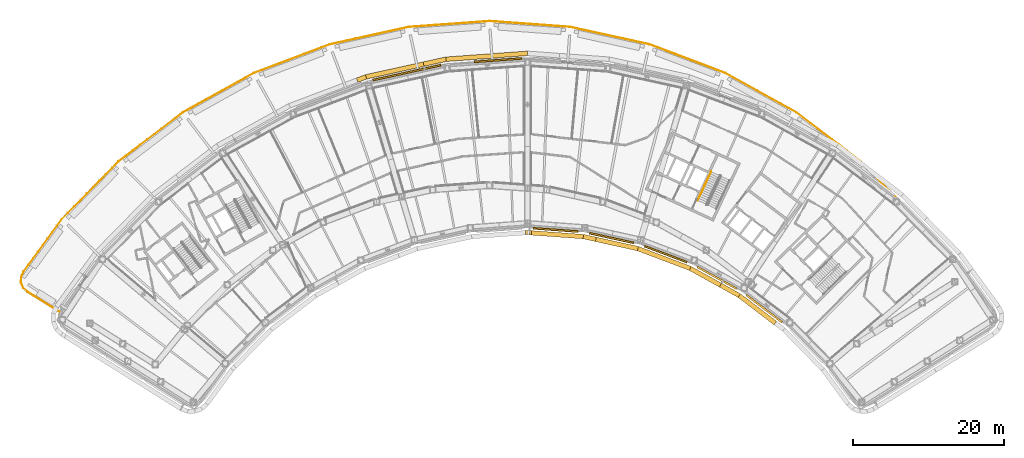
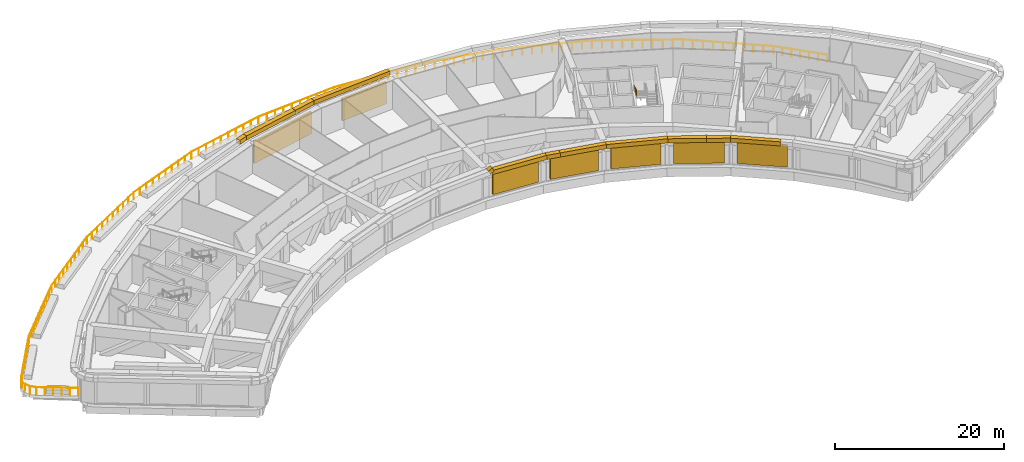
# One storey, part 21 of 24: 12 coverings, 7 shading devices, 2 railings.
"""IFC4 building model written with IfcOpenShell, lengths in metres."""

from ifc_helpers import new_model, si_unit, direction, frame, origin, origin_2d, place, context, subcontext, project, spatial, rectangle, circle, extrude, material, material_profile, profile_set, type_object, element, save


model = new_model("IFC4")

# Units and contexts
model_context = context("Model", 3, precision=1e-05, world=origin(), true_north=direction((0.0, 1.0)))
body_context = subcontext(model_context, "Body", "Model", "MODEL_VIEW")
ifc_project = project(units=[si_unit("LENGTHUNIT", "METRE"), si_unit("AREAUNIT", "SQUARE_METRE"), si_unit("VOLUMEUNIT", "CUBIC_METRE"), si_unit("PLANEANGLEUNIT", "RADIAN"), si_unit("MASSUNIT", "GRAM", prefix="KILO")], contexts=[model_context])

# Site, building, storey
site_placement = place(None, origin())
site = spatial("IfcSite", under=ifc_project, at=site_placement, CompositionType="ELEMENT")
building_placement = place(site_placement, origin())
building = spatial("IfcBuilding", under=site, at=building_placement, Name="Tuul Gate Civic Tower", CompositionType="ELEMENT")
storey_placement = place(building_placement, frame((0.0, 0.0, 94.800048828125)))
storey = spatial("IfcBuildingStorey", under=building, at=storey_placement, Name="Plant and refuge floor 3", CompositionType="ELEMENT", Elevation=94.800048828125)

# Shading devices
ifc_material_1 = material(Name="Aluminium louvre", Category="aluminium")
shading_device_type = type_object("IfcShadingDeviceType", Name="Louvre panel", PredefinedType="USERDEFINED", material=ifc_material_1)
shading_device_1_placement = place(storey_placement, frame((5.926513671875, 13.980224609375, 0.300048828125), z_axis=(0.0, 0.0, 1.0), x_axis=(-0.072325255649, 0.997381099377, 0.0)))
element("IfcShadingDevice", 1, at=shading_device_1_placement, inside=storey, type_object=shading_device_type, Name="Louvre panel", ObjectType="LOUVRE", PredefinedType="USERDEFINED", context=body_context, shape_type="SweptSolid", body=[
    extrude(rectangle(XDim=0.25, YDim=6.300048828125, at=origin_2d()), origin(), (0.0, 0.0, 1.0), 3.14990234375),
])
shading_device_2_placement = place(storey_placement, frame((-6.157958984375, 12.3271484375, 0.300048828125), z_axis=(0.0, 0.0, 1.0), x_axis=(-0.21523471371, 0.976562347223, 0.0)))
element("IfcShadingDevice", 2, at=shading_device_2_placement, inside=storey, type_object=shading_device_type, Name="Louvre panel", ObjectType="LOUVRE", PredefinedType="USERDEFINED", context=body_context, shape_type="SweptSolid", body=[
    extrude(rectangle(XDim=0.25, YDim=9.199951171875, at=origin_2d()), origin(), (0.0, 0.0, 1.0), 3.14990234375),
])
for number, where, z_axis, x_axis, name in (
    (3, (13.573486328125, -8.51708984375, 0.300048828125), (0.0, 0.0, 1.0), (-0.072144007561, -0.997394226058, 0.0), "Louvre panel"),
    (4, (20.984130859375, -9.59619140625, 0.300048828125), (0.0, 0.0, 1.0), (-0.215241961183, -0.976560749849, 0.0), "Louvre panel"),
    (5, (28.161865234375, -11.73193359375, 0.300048828125), (0.0, 0.0, 1.0), (-0.353684769481, -0.935364679597, 0.0), "Louvre panel"),
    (6, (34.956787109375, -14.8798828125, 0.300048828125), (0.0, 0.0, 1.0), (-0.48480794476, -0.874620635875, 0.0), "Louvre panel"),
    (7, (41.227294921875, -18.974365234375, 0.300048828125), (0.0, 0.0, 1.0), (-0.605851052715, -0.795578092914, 0.0), "Louvre panel"),
):
    element("IfcShadingDevice", number, at=place(storey_placement, frame(where, z_axis=z_axis, x_axis=x_axis)), inside=storey, type_object=shading_device_type, Name=name, ObjectType="LOUVRE", PredefinedType="USERDEFINED", context=body_context, shape_type="SweptSolid", body=[
        extrude(rectangle(XDim=0.25, YDim=6.0, at=origin_2d()), origin(), (0.0, 0.0, 1.0), 3.14990234375),
    ])

# Railings
ifc_material_2 = material(Name="Painted steel", Category="steel")
railing_type_1 = type_object("IfcRailingType", Name="Stair handrail", PredefinedType="HANDRAIL", material=ifc_material_2)
railing_1_placement = place(storey_placement, frame((34.1728515625, -0.795166015625, 2.39990234375)))
element("IfcRailing", 8, at=railing_1_placement, inside=storey, type_object=railing_type_1, Name="Plant and refuge floor 3 ST-4 stair handrail 2", PredefinedType="HANDRAIL", context=body_context, shape_type="SweptSolid", body=[
    extrude(circle(Radius=0.02392578125, at=origin_2d()), frame((0.0, 0.0, 0.8759765625), z_axis=(-0.377986804777, -0.810617919294, 0.447241058416), x_axis=(0.906312300116, -0.422608583275, 0.0)), (0.0, 0.0, 1.0), 4.695556640625),
    extrude(circle(Radius=0.02099609375, at=origin_2d()), origin(), (0.0, 0.0, 1.0), 0.851806640625),
    extrude(circle(Radius=0.02099609375, at=origin_2d()), frame((-0.44384765625, -0.95166015625, 0.52490234375)), (0.0, 0.0, 1.0), 0.851806640625),
    extrude(circle(Radius=0.02099609375, at=origin_2d()), frame((-0.887451171875, -1.9033203125, 1.050048828125)), (0.0, 0.0, 1.0), 0.851806640625),
    extrude(circle(Radius=0.02099609375, at=origin_2d()), frame((-1.3310546875, -2.854736328125, 1.5751953125)), (0.0, 0.0, 1.0), 0.851806640625),
    extrude(circle(Radius=0.02099609375, at=origin_2d()), frame((-1.77490234375, -3.806396484375, 2.10009765625)), (0.0, 0.0, 1.0), 0.851806640625),
])
ifc_material_3 = material(Name="Stainless steel", Category="steel")
railing_type_2 = type_object("IfcRailingType", Name="Terrace guard", PredefinedType="GUARDRAIL", material=ifc_material_3)
railing_2_placement = place(storey_placement, frame((58.625732421875, -4.16015625, 0.0)))
element("IfcRailing", 9, at=railing_2_placement, inside=storey, type_object=railing_type_2, Name="Guard", PredefinedType="GUARDRAIL", context=body_context, shape_type="SweptSolid", body=[
    extrude(circle(Radius=0.02392578125, at=origin_2d()), frame((0.0, 0.0, 1.076171875), z_axis=(-0.700026670463, 0.714116699595, 0.0), x_axis=(-0.714116699595, -0.700026670463, 0.0)), (0.0, 0.0, 1.0), 6.6015625),
    extrude(circle(Radius=0.02392578125, at=origin_2d()), frame((-4.621337890625, 4.71435546875, 1.076171875), z_axis=(-0.795606982019, 0.605813114882, 0.0), x_axis=(-0.605813114882, -0.795606982019, 0.0)), (0.0, 0.0, 1.0), 10.7421875),
    extrude(circle(Radius=0.02392578125, at=origin_2d()), frame((-13.16796875, 11.22216796875, 1.076171875), z_axis=(-0.874611402149, 0.484824602543, 0.0), x_axis=(-0.484824602543, -0.874611402149, 0.0)), (0.0, 0.0, 1.0), 10.7431640625),
    extrude(circle(Radius=0.02392578125, at=origin_2d()), frame((-22.56396484375, 16.4306640625, 1.076171875), z_axis=(-0.935374053612, 0.353659977704, 0.0), x_axis=(-0.353659977704, -0.935374053612, 0.0)), (0.0, 0.0, 1.0), 10.742919921875),
    extrude(circle(Radius=0.02392578125, at=origin_2d()), frame((-32.612548828125, 20.22998046875, 1.076171875), z_axis=(-0.976561510253, 0.215238511173, 0.0), x_axis=(-0.215238511173, -0.976561510253, 0.0)), (0.0, 0.0, 1.0), 10.74267578125),
    extrude(circle(Radius=0.02392578125, at=origin_2d()), frame((-43.103515625, 22.542236328125, 1.076171875), z_axis=(-0.997389827202, 0.072204796195, 0.0), x_axis=(-0.072204796195, -0.997389827202, 0.0)), (0.0, 0.0, 1.0), 10.7421875),
    extrude(circle(Radius=0.02392578125, at=origin_2d()), frame((-53.817626953125, 23.31787109375, 1.076171875), z_axis=(-0.997389945688, -0.072203159492, 0.0), x_axis=(0.072203159492, -0.997389945688, 0.0)), (0.0, 0.0, 1.0), 10.742431640625),
    extrude(circle(Radius=0.02392578125, at=origin_2d()), frame((-64.531982421875, 22.542236328125, 1.076171875), z_axis=(-0.976561510253, -0.215238511173, 0.0), x_axis=(0.215238511173, -0.976561510253, 0.0)), (0.0, 0.0, 1.0), 10.74267578125),
    extrude(circle(Radius=0.02392578125, at=origin_2d()), frame((-75.02294921875, 20.22998046875, 1.076171875), z_axis=(-0.935362682375, -0.353690051345, 0.0), x_axis=(0.353690051345, -0.935362682375, 0.0)), (0.0, 0.0, 1.0), 10.741943359375),
    extrude(circle(Radius=0.02392578125, at=origin_2d()), frame((-85.070556640625, 16.4306640625, 1.076171875), z_axis=(-0.874611402149, -0.484824602543, 0.0), x_axis=(0.484824602543, -0.874611402149, 0.0)), (0.0, 0.0, 1.0), 10.7431640625),
    extrude(circle(Radius=0.02392578125, at=origin_2d()), frame((-94.466552734375, 11.22216796875, 1.076171875), z_axis=(-0.795606982019, -0.605813114882, 0.0), x_axis=(0.605813114882, -0.795606982019, 0.0)), (0.0, 0.0, 1.0), 10.7421875),
    extrude(circle(Radius=0.02392578125, at=origin_2d()), frame((-103.01318359375, 4.71435546875, 1.076171875), z_axis=(-0.700061186353, -0.714082863093, 0.0), x_axis=(0.714082863093, -0.700061186353, 0.0)), (0.0, 0.0, 1.0), 10.742919921875),
    extrude(circle(Radius=0.02392578125, at=origin_2d()), frame((-110.533935546875, -2.95703125, 1.076171875), z_axis=(-0.58976635992, -0.80757392275, 0.0), x_axis=(0.80757392275, -0.58976635992, 0.0)), (0.0, 0.0, 1.0), 8.587158203125),
    extrude(circle(Radius=0.02392578125, at=origin_2d()), frame((-115.598388671875, -9.891845703125, 1.076171875), z_axis=(-0.413252856297, -0.910616316987, 0.0), x_axis=(0.910616316987, -0.413252856297, 0.0)), (0.0, 0.0, 1.0), 0.769287109375),
    extrude(circle(Radius=0.02392578125, at=origin_2d()), frame((-115.916259765625, -10.59228515625, 1.076171875), z_axis=(-0.014580433083, -0.999893699836, 0.0), x_axis=(0.999893699836, -0.014580433083, 0.0)), (0.0, 0.0, 1.0), 0.75341796875),
    extrude(circle(Radius=0.02392578125, at=origin_2d()), frame((-115.92724609375, -11.345703125, 1.076171875), z_axis=(0.385811143559, -0.922577780735, 0.0), x_axis=(0.922577780735, 0.385811143559, 0.0)), (0.0, 0.0, 1.0), 0.753662109375),
    extrude(circle(Radius=0.02392578125, at=origin_2d()), frame((-115.636474609375, -12.041015625, 1.076171875), z_axis=(0.722338380807, -0.691539777318, 0.0), x_axis=(0.691539777318, 0.722338380807, 0.0)), (0.0, 0.0, 1.0), 0.768798828125),
    extrude(circle(Radius=0.02392578125, at=origin_2d()), frame((-115.0810546875, -12.57275390625, 1.076171875), z_axis=(0.848050615806, -0.52991523193, 0.0), x_axis=(0.52991523193, 0.848050615806, 0.0)), (0.0, 0.0, 1.0), 4.981201171875),
    extrude(circle(Radius=0.02099609375, at=origin_2d()), origin(), (0.0, 0.0, 1.0), 1.052001953125),
    extrude(circle(Radius=0.02099609375, at=origin_2d()), frame((-0.770263671875, 0.78564453125, 0.0)), (0.0, 0.0, 1.0), 1.052001953125),
    extrude(circle(Radius=0.02099609375, at=origin_2d()), frame((-1.54052734375, 1.571533203125, 0.0)), (0.0, 0.0, 1.0), 1.052001953125),
    extrude(circle(Radius=0.02099609375, at=origin_2d()), frame((-2.310546875, 2.357177734375, 0.0)), (0.0, 0.0, 1.0), 1.052001953125),
    extrude(circle(Radius=0.02099609375, at=origin_2d()), frame((-3.080810546875, 3.142822265625, 0.0)), (0.0, 0.0, 1.0), 1.052001953125),
    extrude(circle(Radius=0.02099609375, at=origin_2d()), frame((-3.85107421875, 3.9287109375, 0.0)), (0.0, 0.0, 1.0), 1.052001953125),
    extrude(circle(Radius=0.02099609375, at=origin_2d()), frame((-4.621337890625, 4.71435546875, 0.0)), (0.0, 0.0, 1.0), 1.052001953125),
    extrude(circle(Radius=0.02099609375, at=origin_2d()), frame((-5.571044921875, 5.4375, 0.0)), (0.0, 0.0, 1.0), 1.052001953125),
    extrude(circle(Radius=0.02099609375, at=origin_2d()), frame((-6.5205078125, 6.16064453125, 0.0)), (0.0, 0.0, 1.0), 1.052001953125),
    extrude(circle(Radius=0.02099609375, at=origin_2d()), frame((-7.47021484375, 6.883544921875, 0.0)), (0.0, 0.0, 1.0), 1.052001953125),
    extrude(circle(Radius=0.02099609375, at=origin_2d()), frame((-8.419921875, 7.606689453125, 0.0)), (0.0, 0.0, 1.0), 1.052001953125),
    extrude(circle(Radius=0.02099609375, at=origin_2d()), frame((-9.369384765625, 8.329833984375, 0.0)), (0.0, 0.0, 1.0), 1.052001953125),
    extrude(circle(Radius=0.02099609375, at=origin_2d()), frame((-10.319091796875, 9.052978515625, 0.0)), (0.0, 0.0, 1.0), 1.052001953125),
    extrude(circle(Radius=0.02099609375, at=origin_2d()), frame((-11.268798828125, 9.77587890625, 0.0)), (0.0, 0.0, 1.0), 1.052001953125),
    extrude(circle(Radius=0.02099609375, at=origin_2d()), frame((-12.21826171875, 10.4990234375, 0.0)), (0.0, 0.0, 1.0), 1.052001953125),
    extrude(circle(Radius=0.02099609375, at=origin_2d()), frame((-13.16796875, 11.22216796875, 0.0)), (0.0, 0.0, 1.0), 1.052001953125),
    extrude(circle(Radius=0.02099609375, at=origin_2d()), frame((-14.2119140625, 11.80078125, 0.0)), (0.0, 0.0, 1.0), 1.052001953125),
    extrude(circle(Radius=0.02099609375, at=origin_2d()), frame((-15.255859375, 12.379638671875, 0.0)), (0.0, 0.0, 1.0), 1.052001953125),
    extrude(circle(Radius=0.02099609375, at=origin_2d()), frame((-16.300048828125, 12.958251953125, 0.0)), (0.0, 0.0, 1.0), 1.052001953125),
    extrude(circle(Radius=0.02099609375, at=origin_2d()), frame((-17.343994140625, 13.537109375, 0.0)), (0.0, 0.0, 1.0), 1.052001953125),
    extrude(circle(Radius=0.02099609375, at=origin_2d()), frame((-18.387939453125, 14.11572265625, 0.0)), (0.0, 0.0, 1.0), 1.052001953125),
    extrude(circle(Radius=0.02099609375, at=origin_2d()), frame((-19.431884765625, 14.694580078125, 0.0)), (0.0, 0.0, 1.0), 1.052001953125),
    extrude(circle(Radius=0.02099609375, at=origin_2d()), frame((-20.47607421875, 15.273193359375, 0.0)), (0.0, 0.0, 1.0), 1.052001953125),
    extrude(circle(Radius=0.02099609375, at=origin_2d()), frame((-21.52001953125, 15.85205078125, 0.0)), (0.0, 0.0, 1.0), 1.052001953125),
    extrude(circle(Radius=0.02099609375, at=origin_2d()), frame((-22.56396484375, 16.4306640625, 0.0)), (0.0, 0.0, 1.0), 1.052001953125),
    extrude(circle(Radius=0.02099609375, at=origin_2d()), frame((-23.680419921875, 16.852783203125, 0.0)), (0.0, 0.0, 1.0), 1.052001953125),
    extrude(circle(Radius=0.02099609375, at=origin_2d()), frame((-24.796875, 17.27490234375, 0.0)), (0.0, 0.0, 1.0), 1.052001953125),
    extrude(circle(Radius=0.02099609375, at=origin_2d()), frame((-25.91357421875, 17.697021484375, 0.0)), (0.0, 0.0, 1.0), 1.052001953125),
    extrude(circle(Radius=0.02099609375, at=origin_2d()), frame((-27.030029296875, 18.119140625, 0.0)), (0.0, 0.0, 1.0), 1.052001953125),
    extrude(circle(Radius=0.02099609375, at=origin_2d()), frame((-28.146484375, 18.54150390625, 0.0)), (0.0, 0.0, 1.0), 1.052001953125),
    extrude(circle(Radius=0.02099609375, at=origin_2d()), frame((-29.262939453125, 18.963623046875, 0.0)), (0.0, 0.0, 1.0), 1.052001953125),
    extrude(circle(Radius=0.02099609375, at=origin_2d()), frame((-30.379638671875, 19.3857421875, 0.0)), (0.0, 0.0, 1.0), 1.052001953125),
    extrude(circle(Radius=0.02099609375, at=origin_2d()), frame((-31.49609375, 19.807861328125, 0.0)), (0.0, 0.0, 1.0), 1.052001953125),
    extrude(circle(Radius=0.02099609375, at=origin_2d()), frame((-32.612548828125, 20.22998046875, 0.0)), (0.0, 0.0, 1.0), 1.052001953125),
    extrude(circle(Radius=0.02099609375, at=origin_2d()), frame((-33.7783203125, 20.48681640625, 0.0)), (0.0, 0.0, 1.0), 1.052001953125),
    extrude(circle(Radius=0.02099609375, at=origin_2d()), frame((-34.94384765625, 20.743896484375, 0.0)), (0.0, 0.0, 1.0), 1.052001953125),
    extrude(circle(Radius=0.02099609375, at=origin_2d()), frame((-36.109619140625, 21.000732421875, 0.0)), (0.0, 0.0, 1.0), 1.052001953125),
    extrude(circle(Radius=0.02099609375, at=origin_2d()), frame((-37.275146484375, 21.257568359375, 0.0)), (0.0, 0.0, 1.0), 1.052001953125),
    extrude(circle(Radius=0.02099609375, at=origin_2d()), frame((-38.44091796875, 21.5146484375, 0.0)), (0.0, 0.0, 1.0), 1.052001953125),
    extrude(circle(Radius=0.02099609375, at=origin_2d()), frame((-39.6064453125, 21.771484375, 0.0)), (0.0, 0.0, 1.0), 1.052001953125),
    extrude(circle(Radius=0.02099609375, at=origin_2d()), frame((-40.772216796875, 22.0283203125, 0.0)), (0.0, 0.0, 1.0), 1.052001953125),
    extrude(circle(Radius=0.02099609375, at=origin_2d()), frame((-41.937744140625, 22.285400390625, 0.0)), (0.0, 0.0, 1.0), 1.052001953125),
    extrude(circle(Radius=0.02099609375, at=origin_2d()), frame((-43.103515625, 22.542236328125, 0.0)), (0.0, 0.0, 1.0), 1.052001953125),
    extrude(circle(Radius=0.02099609375, at=origin_2d()), frame((-44.2939453125, 22.62841796875, 0.0)), (0.0, 0.0, 1.0), 1.052001953125),
    extrude(circle(Radius=0.02099609375, at=origin_2d()), frame((-45.484375, 22.714599609375, 0.0)), (0.0, 0.0, 1.0), 1.052001953125),
    extrude(circle(Radius=0.02099609375, at=origin_2d()), frame((-46.6748046875, 22.80078125, 0.0)), (0.0, 0.0, 1.0), 1.052001953125),
    extrude(circle(Radius=0.02099609375, at=origin_2d()), frame((-47.865234375, 22.886962890625, 0.0)), (0.0, 0.0, 1.0), 1.052001953125),
    extrude(circle(Radius=0.02099609375, at=origin_2d()), frame((-49.055908203125, 22.97314453125, 0.0)), (0.0, 0.0, 1.0), 1.052001953125),
    extrude(circle(Radius=0.02099609375, at=origin_2d()), frame((-50.246337890625, 23.059326171875, 0.0)), (0.0, 0.0, 1.0), 1.052001953125),
    extrude(circle(Radius=0.02099609375, at=origin_2d()), frame((-51.436767578125, 23.1455078125, 0.0)), (0.0, 0.0, 1.0), 1.052001953125),
    extrude(circle(Radius=0.02099609375, at=origin_2d()), frame((-52.627197265625, 23.231689453125, 0.0)), (0.0, 0.0, 1.0), 1.052001953125),
    extrude(circle(Radius=0.02099609375, at=origin_2d()), frame((-53.817626953125, 23.31787109375, 0.0)), (0.0, 0.0, 1.0), 1.052001953125),
    extrude(circle(Radius=0.02099609375, at=origin_2d()), frame((-55.008056640625, 23.231689453125, 0.0)), (0.0, 0.0, 1.0), 1.052001953125),
    extrude(circle(Radius=0.02099609375, at=origin_2d()), frame((-56.198486328125, 23.1455078125, 0.0)), (0.0, 0.0, 1.0), 1.052001953125),
    extrude(circle(Radius=0.02099609375, at=origin_2d()), frame((-57.38916015625, 23.059326171875, 0.0)), (0.0, 0.0, 1.0), 1.052001953125),
    extrude(circle(Radius=0.02099609375, at=origin_2d()), frame((-58.57958984375, 22.97314453125, 0.0)), (0.0, 0.0, 1.0), 1.052001953125),
    extrude(circle(Radius=0.02099609375, at=origin_2d()), frame((-59.77001953125, 22.886962890625, 0.0)), (0.0, 0.0, 1.0), 1.052001953125),
    extrude(circle(Radius=0.02099609375, at=origin_2d()), frame((-60.96044921875, 22.80078125, 0.0)), (0.0, 0.0, 1.0), 1.052001953125),
    extrude(circle(Radius=0.02099609375, at=origin_2d()), frame((-62.151123046875, 22.714599609375, 0.0)), (0.0, 0.0, 1.0), 1.052001953125),
    extrude(circle(Radius=0.02099609375, at=origin_2d()), frame((-63.341552734375, 22.62841796875, 0.0)), (0.0, 0.0, 1.0), 1.052001953125),
    extrude(circle(Radius=0.02099609375, at=origin_2d()), frame((-64.531982421875, 22.542236328125, 0.0)), (0.0, 0.0, 1.0), 1.052001953125),
    extrude(circle(Radius=0.02099609375, at=origin_2d()), frame((-65.69775390625, 22.285400390625, 0.0)), (0.0, 0.0, 1.0), 1.052001953125),
    extrude(circle(Radius=0.02099609375, at=origin_2d()), frame((-66.86328125, 22.0283203125, 0.0)), (0.0, 0.0, 1.0), 1.052001953125),
    extrude(circle(Radius=0.02099609375, at=origin_2d()), frame((-68.029052734375, 21.771484375, 0.0)), (0.0, 0.0, 1.0), 1.052001953125),
    extrude(circle(Radius=0.02099609375, at=origin_2d()), frame((-69.194580078125, 21.5146484375, 0.0)), (0.0, 0.0, 1.0), 1.052001953125),
    extrude(circle(Radius=0.02099609375, at=origin_2d()), frame((-70.3603515625, 21.257568359375, 0.0)), (0.0, 0.0, 1.0), 1.052001953125),
    extrude(circle(Radius=0.02099609375, at=origin_2d()), frame((-71.52587890625, 21.000732421875, 0.0)), (0.0, 0.0, 1.0), 1.052001953125),
    extrude(circle(Radius=0.02099609375, at=origin_2d()), frame((-72.691650390625, 20.743896484375, 0.0)), (0.0, 0.0, 1.0), 1.052001953125),
    extrude(circle(Radius=0.02099609375, at=origin_2d()), frame((-73.857177734375, 20.48681640625, 0.0)), (0.0, 0.0, 1.0), 1.052001953125),
    extrude(circle(Radius=0.02099609375, at=origin_2d()), frame((-75.02294921875, 20.22998046875, 0.0)), (0.0, 0.0, 1.0), 1.052001953125),
    extrude(circle(Radius=0.02099609375, at=origin_2d()), frame((-76.139404296875, 19.807861328125, 0.0)), (0.0, 0.0, 1.0), 1.052001953125),
    extrude(circle(Radius=0.02099609375, at=origin_2d()), frame((-77.255859375, 19.3857421875, 0.0)), (0.0, 0.0, 1.0), 1.052001953125),
    extrude(circle(Radius=0.02099609375, at=origin_2d()), frame((-78.3720703125, 18.963623046875, 0.0)), (0.0, 0.0, 1.0), 1.052001953125),
    extrude(circle(Radius=0.02099609375, at=origin_2d()), frame((-79.488525390625, 18.54150390625, 0.0)), (0.0, 0.0, 1.0), 1.052001953125),
    extrude(circle(Radius=0.02099609375, at=origin_2d()), frame((-80.60498046875, 18.119140625, 0.0)), (0.0, 0.0, 1.0), 1.052001953125),
    extrude(circle(Radius=0.02099609375, at=origin_2d()), frame((-81.721435546875, 17.697021484375, 0.0)), (0.0, 0.0, 1.0), 1.052001953125),
    extrude(circle(Radius=0.02099609375, at=origin_2d()), frame((-82.837646484375, 17.27490234375, 0.0)), (0.0, 0.0, 1.0), 1.052001953125),
    extrude(circle(Radius=0.02099609375, at=origin_2d()), frame((-83.9541015625, 16.852783203125, 0.0)), (0.0, 0.0, 1.0), 1.052001953125),
    extrude(circle(Radius=0.02099609375, at=origin_2d()), frame((-85.070556640625, 16.4306640625, 0.0)), (0.0, 0.0, 1.0), 1.052001953125),
    extrude(circle(Radius=0.02099609375, at=origin_2d()), frame((-86.114501953125, 15.85205078125, 0.0)), (0.0, 0.0, 1.0), 1.052001953125),
    extrude(circle(Radius=0.02099609375, at=origin_2d()), frame((-87.158447265625, 15.273193359375, 0.0)), (0.0, 0.0, 1.0), 1.052001953125),
    extrude(circle(Radius=0.02099609375, at=origin_2d()), frame((-88.20263671875, 14.694580078125, 0.0)), (0.0, 0.0, 1.0), 1.052001953125),
    extrude(circle(Radius=0.02099609375, at=origin_2d()), frame((-89.24658203125, 14.11572265625, 0.0)), (0.0, 0.0, 1.0), 1.052001953125),
    extrude(circle(Radius=0.02099609375, at=origin_2d()), frame((-90.29052734375, 13.537109375, 0.0)), (0.0, 0.0, 1.0), 1.052001953125),
    extrude(circle(Radius=0.02099609375, at=origin_2d()), frame((-91.33447265625, 12.958251953125, 0.0)), (0.0, 0.0, 1.0), 1.052001953125),
    extrude(circle(Radius=0.02099609375, at=origin_2d()), frame((-92.378662109375, 12.379638671875, 0.0)), (0.0, 0.0, 1.0), 1.052001953125),
    extrude(circle(Radius=0.02099609375, at=origin_2d()), frame((-93.422607421875, 11.80078125, 0.0)), (0.0, 0.0, 1.0), 1.052001953125),
    extrude(circle(Radius=0.02099609375, at=origin_2d()), frame((-94.466552734375, 11.22216796875, 0.0)), (0.0, 0.0, 1.0), 1.052001953125),
    extrude(circle(Radius=0.02099609375, at=origin_2d()), frame((-95.416259765625, 10.4990234375, 0.0)), (0.0, 0.0, 1.0), 1.052001953125),
    extrude(circle(Radius=0.02099609375, at=origin_2d()), frame((-96.36572265625, 9.77587890625, 0.0)), (0.0, 0.0, 1.0), 1.052001953125),
    extrude(circle(Radius=0.02099609375, at=origin_2d()), frame((-97.3154296875, 9.052978515625, 0.0)), (0.0, 0.0, 1.0), 1.052001953125),
    extrude(circle(Radius=0.02099609375, at=origin_2d()), frame((-98.26513671875, 8.329833984375, 0.0)), (0.0, 0.0, 1.0), 1.052001953125),
    extrude(circle(Radius=0.02099609375, at=origin_2d()), frame((-99.214599609375, 7.606689453125, 0.0)), (0.0, 0.0, 1.0), 1.052001953125),
    extrude(circle(Radius=0.02099609375, at=origin_2d()), frame((-100.164306640625, 6.883544921875, 0.0)), (0.0, 0.0, 1.0), 1.052001953125),
    extrude(circle(Radius=0.02099609375, at=origin_2d()), frame((-101.114013671875, 6.16064453125, 0.0)), (0.0, 0.0, 1.0), 1.052001953125),
    extrude(circle(Radius=0.02099609375, at=origin_2d()), frame((-102.0634765625, 5.4375, 0.0)), (0.0, 0.0, 1.0), 1.052001953125),
    extrude(circle(Radius=0.02099609375, at=origin_2d()), frame((-103.01318359375, 4.71435546875, 0.0)), (0.0, 0.0, 1.0), 1.052001953125),
    extrude(circle(Radius=0.02099609375, at=origin_2d()), frame((-103.848876953125, 3.862060546875, 0.0)), (0.0, 0.0, 1.0), 1.052001953125),
    extrude(circle(Radius=0.02099609375, at=origin_2d()), frame((-104.6845703125, 3.009521484375, 0.0)), (0.0, 0.0, 1.0), 1.052001953125),
    extrude(circle(Radius=0.02099609375, at=origin_2d()), frame((-105.52001953125, 2.1572265625, 0.0)), (0.0, 0.0, 1.0), 1.052001953125),
    extrude(circle(Radius=0.02099609375, at=origin_2d()), frame((-106.355712890625, 1.304931640625, 0.0)), (0.0, 0.0, 1.0), 1.052001953125),
    extrude(circle(Radius=0.02099609375, at=origin_2d()), frame((-107.19140625, 0.452392578125, 0.0)), (0.0, 0.0, 1.0), 1.052001953125),
    extrude(circle(Radius=0.02099609375, at=origin_2d()), frame((-108.027099609375, -0.39990234375, 0.0)), (0.0, 0.0, 1.0), 1.052001953125),
    extrude(circle(Radius=0.02099609375, at=origin_2d()), frame((-108.862548828125, -1.252197265625, 0.0)), (0.0, 0.0, 1.0), 1.052001953125),
    extrude(circle(Radius=0.02099609375, at=origin_2d()), frame((-109.6982421875, -2.104736328125, 0.0)), (0.0, 0.0, 1.0), 1.052001953125),
    extrude(circle(Radius=0.02099609375, at=origin_2d()), frame((-110.533935546875, -2.95703125, 0.0)), (0.0, 0.0, 1.0), 1.052001953125),
    extrude(circle(Radius=0.02099609375, at=origin_2d()), frame((-111.1669921875, -3.823974609375, 0.0)), (0.0, 0.0, 1.0), 1.052001953125),
    extrude(circle(Radius=0.02099609375, at=origin_2d()), frame((-111.800048828125, -4.690673828125, 0.0)), (0.0, 0.0, 1.0), 1.052001953125),
    extrude(circle(Radius=0.02099609375, at=origin_2d()), frame((-112.43310546875, -5.5576171875, 0.0)), (0.0, 0.0, 1.0), 1.052001953125),
    extrude(circle(Radius=0.02099609375, at=origin_2d()), frame((-113.066162109375, -6.42431640625, 0.0)), (0.0, 0.0, 1.0), 1.052001953125),
    extrude(circle(Radius=0.02099609375, at=origin_2d()), frame((-113.69921875, -7.291259765625, 0.0)), (0.0, 0.0, 1.0), 1.052001953125),
    extrude(circle(Radius=0.02099609375, at=origin_2d()), frame((-114.332275390625, -8.158203125, 0.0)), (0.0, 0.0, 1.0), 1.052001953125),
    extrude(circle(Radius=0.02099609375, at=origin_2d()), frame((-114.96533203125, -9.02490234375, 0.0)), (0.0, 0.0, 1.0), 1.052001953125),
    extrude(circle(Radius=0.02099609375, at=origin_2d()), frame((-115.598388671875, -9.891845703125, 0.0)), (0.0, 0.0, 1.0), 1.052001953125),
    extrude(circle(Radius=0.02099609375, at=origin_2d()), frame((-115.916259765625, -10.59228515625, 0.0)), (0.0, 0.0, 1.0), 1.052001953125),
    extrude(circle(Radius=0.02099609375, at=origin_2d()), frame((-115.92724609375, -11.345703125, 0.0)), (0.0, 0.0, 1.0), 1.052001953125),
    extrude(circle(Radius=0.02099609375, at=origin_2d()), frame((-115.636474609375, -12.041015625, 0.0)), (0.0, 0.0, 1.0), 1.052001953125),
    extrude(circle(Radius=0.02099609375, at=origin_2d()), frame((-115.0810546875, -12.57275390625, 0.0)), (0.0, 0.0, 1.0), 1.052001953125),
    extrude(circle(Radius=0.02099609375, at=origin_2d()), frame((-114.236083984375, -13.1005859375, 0.0)), (0.0, 0.0, 1.0), 1.052001953125),
    extrude(circle(Radius=0.02099609375, at=origin_2d()), frame((-113.391357421875, -13.628662109375, 0.0)), (0.0, 0.0, 1.0), 1.052001953125),
    extrude(circle(Radius=0.02099609375, at=origin_2d()), frame((-112.54638671875, -14.156494140625, 0.0)), (0.0, 0.0, 1.0), 1.052001953125),
    extrude(circle(Radius=0.02099609375, at=origin_2d()), frame((-111.70166015625, -14.6845703125, 0.0)), (0.0, 0.0, 1.0), 1.052001953125),
    extrude(circle(Radius=0.02099609375, at=origin_2d()), frame((-110.856689453125, -15.21240234375, 0.0)), (0.0, 0.0, 1.0), 1.052001953125),
])

# Coverings
ifc_material_4 = material(Name="Terracotta baguette", Category="masonry")
ifc_material_profile = material_profile(ifc_material_4, rectangle(XDim=0.60009765625, YDim=0.60009765625, at=origin_2d()), Name="Terracotta baguette screen frame")
ifc_profile_set = profile_set([ifc_material_profile], Name="Terracotta baguette")
covering_type = type_object("IfcCoveringType", Name="Terracotta baguette screen frame", PredefinedType="CLADDING", material=ifc_profile_set)
covering_1_placement = place(storey_placement, frame((-3.9501953125, 13.45361328125, 4.14990234375), z_axis=(-0.976563721575, -0.21522847791, 0.0), x_axis=(0.21522847791, -0.976563721575, 0.0)))
element("IfcCovering", 10, at=covering_1_placement, inside=storey, type_object=covering_type, Name="Baguette 87", PredefinedType="CLADDING", context=body_context, shape_type="SweptSolid", body=[
    extrude(rectangle(XDim=0.60009765625, YDim=0.60009765625, at=origin_2d()), origin(), (0.0, 0.0, 1.0), 7.823486328125),
])
covering_2_placement = place(storey_placement, frame((-11.59033203125, 11.769775390625, 4.14990234375), z_axis=(-0.935361445444, -0.353693322493, 0.0), x_axis=(0.353693322493, -0.935361445444, 0.0)))
element("IfcCovering", 11, at=covering_2_placement, inside=storey, type_object=covering_type, Name="Baguette 88", PredefinedType="CLADDING", context=body_context, shape_type="SweptSolid", body=[
    extrude(rectangle(XDim=0.60009765625, YDim=0.60009765625, at=origin_2d()), origin(), (0.0, 0.0, 1.0), 1.248779296875),
])
covering_3_placement = place(storey_placement, frame((9.8291015625, -8.873046875, 4.649169921875), z_axis=(0.464703036957, -0.03331669818, -0.884839581543), x_axis=(0.071511047668, 0.997439807738, 0.0)))
element("IfcCovering", 12, at=covering_3_placement, inside=storey, type_object=covering_type, Name="Baguette 213", PredefinedType="CLADDING", context=body_context, shape_type="SweptSolid", body=[
    extrude(rectangle(XDim=0.60009765625, YDim=0.60009765625, at=origin_2d()), origin(), (0.0, 0.0, 1.0), 0.564208984375),
])
covering_4_placement = place(storey_placement, frame((10.09130859375, -8.891845703125, 4.14990234375), z_axis=(0.997392632394, -0.072166036657, 0.0), x_axis=(0.072166036657, 0.997392632394, 0.0)))
element("IfcCovering", 13, at=covering_4_placement, inside=storey, type_object=covering_type, Name="Baguette 220", PredefinedType="CLADDING", context=body_context, shape_type="SweptSolid", body=[
    extrude(rectangle(XDim=0.60009765625, YDim=0.60009765625, at=origin_2d()), origin(), (0.0, 0.0, 1.0), 7.155029296875),
])
covering_5_placement = place(storey_placement, frame((17.227783203125, -9.408203125, 4.14990234375), z_axis=(0.97656469943, -0.215224041006, 0.0), x_axis=(0.215224041006, 0.97656469943, 0.0)))
element("IfcCovering", 14, at=covering_5_placement, inside=storey, type_object=covering_type, Name="Baguette 221", PredefinedType="CLADDING", context=body_context, shape_type="SweptSolid", body=[
    extrude(rectangle(XDim=0.60009765625, YDim=0.60009765625, at=origin_2d()), origin(), (0.0, 0.0, 1.0), 1.697021484375),
])
covering_6_placement = place(storey_placement, frame((35.40283203125, -15.841552734375, 4.14990234375), z_axis=(0.874621104425, -0.484807099468, 0.0), x_axis=(0.484807099468, 0.874621104425, 0.0)))
element("IfcCovering", 15, at=covering_6_placement, inside=storey, type_object=covering_type, Name="Baguette 240", PredefinedType="CLADDING", context=body_context, shape_type="SweptSolid", body=[
    extrude(rectangle(XDim=0.60009765625, YDim=0.60009765625, at=origin_2d()), origin(), (0.0, 0.0, 1.0), 2.852783203125),
])
covering_7_placement = place(storey_placement, frame((37.89794921875, -17.224609375, 4.14990234375), z_axis=(0.795578368083, -0.605850691373, 0.0), x_axis=(0.605850691373, 0.795578368083, 0.0)))
element("IfcCovering", 16, at=covering_7_placement, inside=storey, type_object=covering_type, Name="Baguette 241", PredefinedType="CLADDING", context=body_context, shape_type="SweptSolid", body=[
    extrude(rectangle(XDim=0.60009765625, YDim=0.60009765625, at=origin_2d()), origin(), (0.0, 0.0, 1.0), 5.9990234375),
])
covering_8_placement = place(storey_placement, frame((9.8291015625, 14.889892578125, 4.14990234375), z_axis=(-0.997380798876, -0.072329399508, 0.0), x_axis=(0.072329399508, -0.997380798876, 0.0)))
element("IfcCovering", 17, at=covering_8_placement, inside=storey, type_object=covering_type, Name="Baguette 383", PredefinedType="CLADDING", context=body_context, shape_type="SweptSolid", body=[
    extrude(rectangle(XDim=0.60009765625, YDim=0.60009765625, at=origin_2d()), origin(), (0.0, 0.0, 1.0), 10.851806640625),
])
covering_9_placement = place(storey_placement, frame((-0.994384765625, 14.10498046875, 4.14990234375), z_axis=(-0.976568915128, -0.215204911668, 0.0), x_axis=(0.215204911668, -0.976568915128, 0.0)))
element("IfcCovering", 18, at=covering_9_placement, inside=storey, type_object=covering_type, Name="Baguette 384", PredefinedType="CLADDING", context=body_context, shape_type="SweptSolid", body=[
    extrude(rectangle(XDim=0.60009765625, YDim=0.60009765625, at=origin_2d()), origin(), (0.0, 0.0, 1.0), 3.026611328125),
])
covering_10_placement = place(storey_placement, frame((18.885009765625, -9.7734375, 4.14990234375), z_axis=(0.976564154982, -0.215226511388, 0.0), x_axis=(0.215226511388, 0.976564154982, 0.0)))
element("IfcCovering", 19, at=covering_10_placement, inside=storey, type_object=covering_type, Name="Baguette 398", PredefinedType="CLADDING", context=body_context, shape_type="SweptSolid", body=[
    extrude(rectangle(XDim=0.60009765625, YDim=0.60009765625, at=origin_2d()), origin(), (0.0, 0.0, 1.0), 5.720458984375),
])
covering_11_placement = place(storey_placement, frame((24.471435546875, -11.004638671875, 4.14990234375), z_axis=(0.935357193845, -0.353704565878, 0.0), x_axis=(0.353704565878, 0.935357193845, 0.0)))
element("IfcCovering", 20, at=covering_11_placement, inside=storey, type_object=covering_type, Name="Baguette 399", PredefinedType="CLADDING", context=body_context, shape_type="SweptSolid", body=[
    extrude(rectangle(XDim=0.60009765625, YDim=0.60009765625, at=origin_2d()), origin(), (0.0, 0.0, 1.0), 7.41796875),
])
covering_12_placement = place(storey_placement, frame((31.409912109375, -13.62841796875, 4.14990234375), z_axis=(0.874636136261, -0.484779980141, 0.0), x_axis=(0.484779980141, 0.874636136261, 0.0)))
element("IfcCovering", 21, at=covering_12_placement, inside=storey, type_object=covering_type, Name="Baguette 400", PredefinedType="CLADDING", context=body_context, shape_type="SweptSolid", body=[
    extrude(rectangle(XDim=0.60009765625, YDim=0.60009765625, at=origin_2d()), origin(), (0.0, 0.0, 1.0), 4.565185546875),
])

save(model, "model.ifc")
